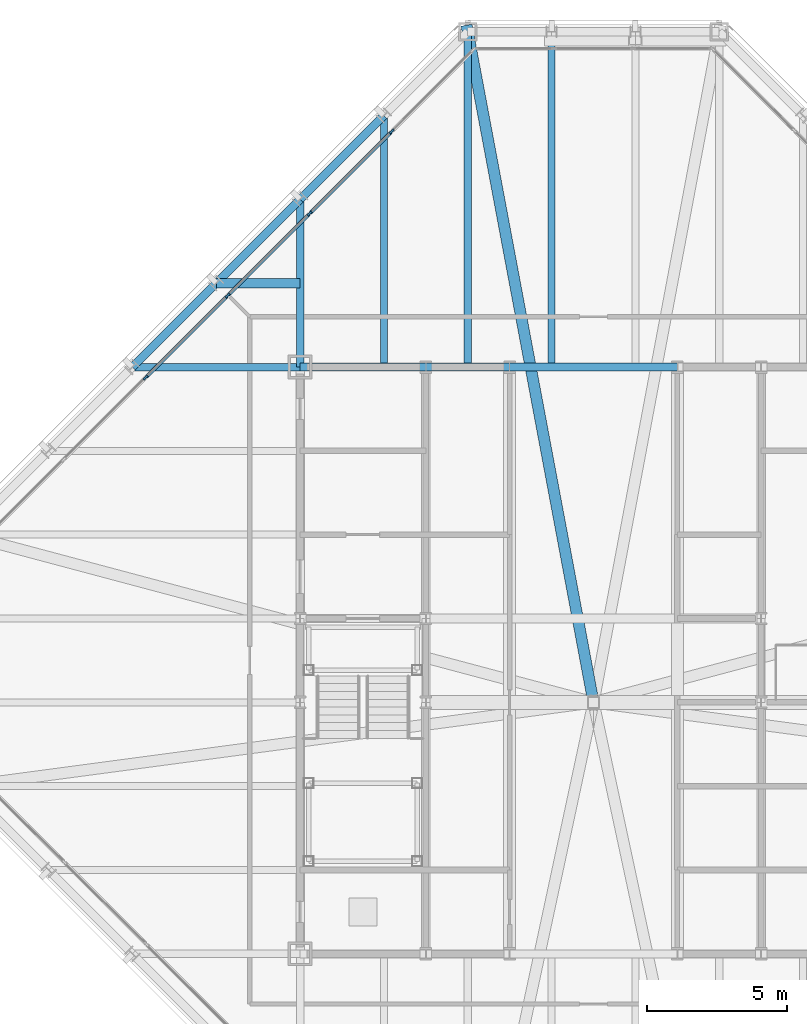
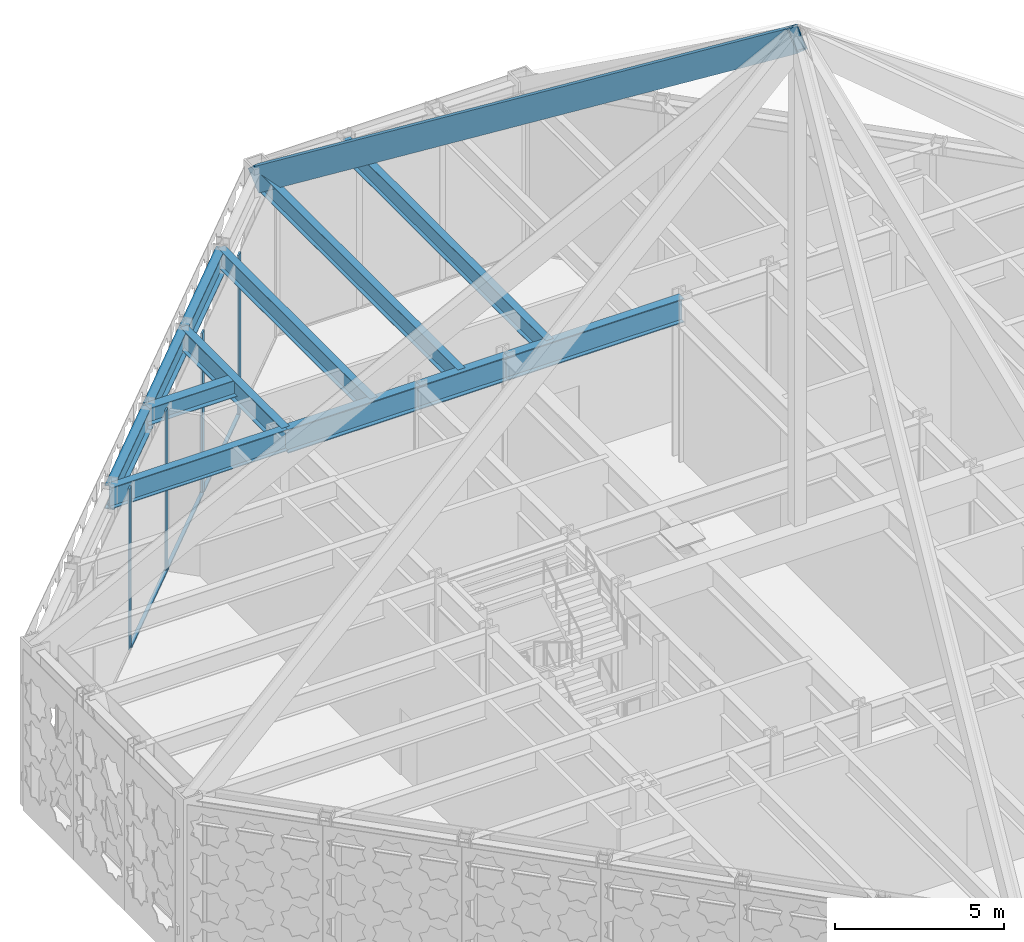
# One storey, part 10 of 30: 12 beams, 8 members, 1 element without a shape of its own.
"""IFC4 building model written with IfcOpenShell, lengths in metres."""

from ifc_helpers import new_model, si_unit, direction, frame, origin, origin_2d, place, context, subcontext, project, spatial, rectangle, hollow_rectangle, i_section, extrude, material, layer, layer_set, material_profile, profile_set, type_object, element, aggregate, save


model = new_model("IFC4")

# Units and contexts
model_context = context("Model", 3, precision=1e-05, world=origin(), true_north=direction((0.0, 1.0)))
body_context = subcontext(model_context, "Body", "Model", "MODEL_VIEW")
ifc_project = project(units=[si_unit("LENGTHUNIT", "METRE"), si_unit("AREAUNIT", "SQUARE_METRE"), si_unit("VOLUMEUNIT", "CUBIC_METRE"), si_unit("PLANEANGLEUNIT", "RADIAN"), si_unit("MASSUNIT", "GRAM", prefix="KILO")], contexts=[model_context])

# Site, building, storey
site_placement = place(None, origin())
site = spatial("IfcSite", under=ifc_project, at=site_placement, CompositionType="ELEMENT")
building_placement = place(site_placement, origin())
building = spatial("IfcBuilding", under=site, at=building_placement, Name="Chuquiago Exchange Tower", CompositionType="ELEMENT")
storey_placement = place(building_placement, frame((0.0, 0.0, 306.0)))
storey = spatial("IfcBuildingStorey", under=building, at=storey_placement, Name="L68", CompositionType="ELEMENT", Elevation=306.0)

# Beams
ifc_material_1 = material(Name="Steel ASTM A992", Category="steel")
ifc_material_profile_1 = material_profile(ifc_material_1, i_section(OverallWidth=0.25390625, OverallDepth=0.683349609375, WebThickness=0.012451171875, FlangeThickness=0.018798828125, at=origin_2d()), Name="W27X94")
ifc_profile_set_1 = profile_set([ifc_material_profile_1], Name="Steel ASTM A992")
beam_type_1 = type_object("IfcBeamType", Name="B1 W27X94", PredefinedType="BEAM", material=ifc_profile_set_1)
beam_1_placement = place(storey_placement, frame((15.0, 33.0, 5.45849609375), z_axis=(0.0, 1.0, 0.0), x_axis=(-1.0, 0.0, 0.0)))
element("IfcBeam", 1, at=beam_1_placement, inside=storey, type_object=beam_type_1, Name="FB-ROOF-infill-15_33-15_42", PredefinedType="BEAM", context=body_context, shape_type="SweptSolid", body=[
    extrude(i_section(OverallWidth=0.25390625, OverallDepth=0.683349609375, WebThickness=0.012451171875, FlangeThickness=0.018798828125, at=origin_2d()), origin(), (0.0, 0.0, 1.0), 9.0),
])
for number, where, z_axis, x_axis, name in (
    (2, (18.0, 33.0, 5.45849609375), (0.0, 1.0, 0.0), (-1.0, 0.0, 0.0), "FB-ROOF-infill-18_33-18_45"),
    (3, (21.0, 33.0, 5.45849609375), (0.0, 1.0, 0.0), (-1.0, 0.0, 0.0), "FB-ROOF-infill-21_33-21_45"),
):
    element("IfcBeam", number, at=place(storey_placement, frame(where, z_axis=z_axis, x_axis=x_axis)), inside=storey, type_object=beam_type_1, Name=name, PredefinedType="BEAM", context=body_context, shape_type="SweptSolid", body=[
        extrude(i_section(OverallWidth=0.25390625, OverallDepth=0.683349609375, WebThickness=0.012451171875, FlangeThickness=0.018798828125, at=origin_2d()), origin(), (0.0, 0.0, 1.0), 12.0),
    ])
ifc_material_2 = material(Name="Steel ASTM A992", Category="steel")
ifc_material_profile_2 = material_profile(ifc_material_2, i_section(OverallWidth=0.3251953125, OverallDepth=0.612060546875, WebThickness=0.0126953125, FlangeThickness=0.01904296875, at=origin_2d()), Name="W24X104")
ifc_profile_set_2 = profile_set([ifc_material_profile_2], Name="Steel ASTM A992")
beam_type_2 = type_object("IfcBeamType", Name="B2 W24X104", PredefinedType="BEAM", material=ifc_profile_set_2)
beam_2_placement = place(storey_placement, frame((12.0, 36.0, 5.493896484375), z_axis=(-1.0, 0.0, 0.0), x_axis=(0.0, -1.0, 0.0)))
element("IfcBeam", 4, at=beam_2_placement, inside=storey, type_object=beam_type_2, Name="FB-ROOF-corner-12_36-9_36", PredefinedType="BEAM", context=body_context, shape_type="SweptSolid", body=[
    extrude(i_section(OverallWidth=0.3251953125, OverallDepth=0.612060546875, WebThickness=0.0126953125, FlangeThickness=0.01904296875, at=origin_2d()), origin(), (0.0, 0.0, 1.0), 3.0),
])
ifc_material_3 = material(Name="Steel ASTM A992", Category="steel")
ifc_material_profile_3 = material_profile(ifc_material_3, i_section(OverallWidth=0.2919921875, OverallDepth=0.8583984375, WebThickness=0.01708984375, FlangeThickness=0.031005859375, at=origin_2d()), Name="W33X169")
ifc_profile_set_3 = profile_set([ifc_material_profile_3], Name="Steel ASTM A992")
beam_type_3 = type_object("IfcBeamType", Name="B3 W33X169", PredefinedType="BEAM", material=ifc_profile_set_3)
beam_3_placement = place(storey_placement, frame((12.0, 33.0, 5.37060546875), z_axis=(1.0, 0.0, 0.0), x_axis=(0.0, 1.0, 0.0)))
element("IfcBeam", 5, at=beam_3_placement, inside=storey, type_object=beam_type_3, Name="CB-ROOF-12_33-16.5_33", PredefinedType="BEAM", context=body_context, shape_type="SweptSolid", body=[
    extrude(i_section(OverallWidth=0.2919921875, OverallDepth=0.8583984375, WebThickness=0.01708984375, FlangeThickness=0.031005859375, at=origin_2d()), origin(), (0.0, 0.0, 1.0), 4.5),
])
beam_4_placement = place(storey_placement, frame((16.5, 33.0, 5.37060546875), z_axis=(1.0, 0.0, 0.0), x_axis=(0.0, 1.0, 0.0)))
element("IfcBeam", 6, at=beam_4_placement, inside=storey, type_object=beam_type_3, Name="CB-ROOF-16.5_33-19.5_33", PredefinedType="BEAM", context=body_context, shape_type="SweptSolid", body=[
    extrude(i_section(OverallWidth=0.2919921875, OverallDepth=0.8583984375, WebThickness=0.01708984375, FlangeThickness=0.031005859375, at=origin_2d()), origin(), (0.0, 0.0, 1.0), 3.0),
])
beam_5_placement = place(storey_placement, frame((19.5, 33.0, 5.37060546875), z_axis=(1.0, 0.0, 0.0), x_axis=(0.0, 1.0, 0.0)))
element("IfcBeam", 7, at=beam_5_placement, inside=storey, type_object=beam_type_3, Name="CB-ROOF-19.5_33-25.5_33", PredefinedType="BEAM", context=body_context, shape_type="SweptSolid", body=[
    extrude(i_section(OverallWidth=0.2919921875, OverallDepth=0.8583984375, WebThickness=0.01708984375, FlangeThickness=0.031005859375, at=origin_2d()), origin(), (0.0, 0.0, 1.0), 6.0),
])

# Member
ifc_material_4 = material(Name="Steel ASTM A572 Grade 50", Category="steel")
ifc_material_profile_4 = material_profile(ifc_material_4, hollow_rectangle(XDim=0.39990234375, YDim=0.800048828125, WallThickness=0.0400390625, at=origin_2d()), Name="BOX800X400X40")
ifc_profile_set_4 = profile_set([ifc_material_profile_4], Name="Steel ASTM A572 Grade 50")
member_type_1 = type_object("IfcMemberType", Name="CR1 BOX800X400X40", PredefinedType="RAFTER", material=ifc_profile_set_4)
member_1_placement = place(storey_placement, frame((18.0, 45.0, 5.39208984375), z_axis=(0.14834045293, -0.791149082295, 0.593361811721), x_axis=(0.982872186934, 0.18428853505, 0.0)))
element("IfcMember", 8, at=member_1_placement, inside=storey, type_object=member_type_1, Name="Crown hip rafter at 18_45", PredefinedType="RAFTER", context=body_context, shape_type="SweptSolid", body=[
    extrude(hollow_rectangle(XDim=0.39990234375, YDim=0.800048828125, WallThickness=0.0400390625, at=origin_2d()), origin(), (0.0, 0.0, 1.0), 30.335693359375),
])

# Curtain wall, members
ifc_material_5 = material(Name="Aluminium curtain wall system", Category="aluminium")
ifc_layer = layer(ifc_material_5, 0.199951171875)
ifc_layer_set = layer_set([ifc_layer], Name="CW5 lantern curtain wall")
curtain_wall_type = type_object("IfcCurtainWallType", Name="CW5 lantern curtain wall", PredefinedType="NOTDEFINED", material=ifc_layer_set)
curtain_wall_placement = place(storey_placement, origin())
curtain_wall = element("IfcCurtainWall", 9, at=curtain_wall_placement, inside=storey, type_object=curtain_wall_type, Name="CW5 curtain wall L68", PredefinedType="NOTDEFINED")
ifc_material_6 = material(Name="Aluminium mullion, pale anodised", Category="aluminium")
ifc_material_profile_5 = material_profile(ifc_material_6, rectangle(XDim=0.06005859375, YDim=0.199951171875, at=origin_2d()), Name="AL 60x200")
ifc_profile_set_5 = profile_set([ifc_material_profile_5], Name="Aluminium mullion, pale anodised")
member_type_2 = type_object("IfcMemberType", Name="CW5-M mullion 60x200", PredefinedType="MULLION", material=ifc_profile_set_5)
member_2_placement = place(storey_placement, frame((15.277587890625, 41.42919921875, 0.0), z_axis=(0.0, 0.0, 1.0), x_axis=(0.707104773852, -0.707108788515, 0.0)))
member_2 = element("IfcMember", 10, at=member_2_placement, type_object=member_type_2, Name="CW5 mullion 2", PredefinedType="MULLION", context=body_context, shape_type="SweptSolid", body=[
    extrude(rectangle(XDim=0.06005859375, YDim=0.199951171875, at=origin_2d()), origin(), (0.0, 0.0, 1.0), 5.800048828125),
])
member_3_placement = place(storey_placement, frame((12.342041015625, 38.49365234375, 0.0), z_axis=(0.0, 0.0, 1.0), x_axis=(0.707104773852, -0.707108788515, 0.0)))
member_3 = element("IfcMember", 11, at=member_3_placement, type_object=member_type_2, Name="CW5 mullion 3", PredefinedType="MULLION", context=body_context, shape_type="SweptSolid", body=[
    extrude(rectangle(XDim=0.06005859375, YDim=0.199951171875, at=origin_2d()), origin(), (0.0, 0.0, 1.0), 5.800048828125),
])
member_4_placement = place(storey_placement, frame((9.406494140625, 35.55810546875, 0.0), z_axis=(0.0, 0.0, 1.0), x_axis=(0.707104773852, -0.707108788515, 0.0)))
member_4 = element("IfcMember", 12, at=member_4_placement, type_object=member_type_2, Name="CW5 mullion 4", PredefinedType="MULLION", context=body_context, shape_type="SweptSolid", body=[
    extrude(rectangle(XDim=0.06005859375, YDim=0.199951171875, at=origin_2d()), origin(), (0.0, 0.0, 1.0), 5.800048828125),
])
member_5_placement = place(storey_placement, frame((6.470947265625, 32.62255859375, 0.0), z_axis=(0.0, 0.0, 1.0), x_axis=(0.707104773852, -0.707108788515, 0.0)))
member_5 = element("IfcMember", 13, at=member_5_placement, type_object=member_type_2, Name="CW5 mullion 5", PredefinedType="MULLION", context=body_context, shape_type="SweptSolid", body=[
    extrude(rectangle(XDim=0.06005859375, YDim=0.199951171875, at=origin_2d()), origin(), (0.0, 0.0, 1.0), 5.800048828125),
])
ifc_material_7 = material(Name="Aluminium transom, pale anodised", Category="aluminium")
ifc_material_profile_6 = material_profile(ifc_material_7, rectangle(XDim=0.1201171875, YDim=0.06005859375, at=origin_2d()), Name="AL 120x60")
ifc_profile_set_6 = profile_set([ifc_material_profile_6], Name="Aluminium transom, pale anodised")
member_type_3 = type_object("IfcMemberType", Name="CW5-T transom 60x120", PredefinedType="MULLION", material=ifc_profile_set_6)
member_6_placement = place(storey_placement, frame((15.25634765625, 41.407958984375, 0.030029296875), z_axis=(-0.707106781187, -0.707106781187, 0.0), x_axis=(0.707106781187, -0.707106781187, 0.0)))
member_6 = element("IfcMember", 14, at=member_6_placement, type_object=member_type_3, Name="CW5 transom 2.1", PredefinedType="MULLION", context=body_context, shape_type="SweptSolid", body=[
    extrude(rectangle(XDim=0.1201171875, YDim=0.06005859375, at=origin_2d()), origin(), (0.0, 0.0, 1.0), 4.09130859375),
])
member_7_placement = place(storey_placement, frame((12.32080078125, 38.472412109375, 0.030029296875), z_axis=(-0.707106781187, -0.707106781187, 0.0), x_axis=(0.707106781187, -0.707106781187, 0.0)))
member_7 = element("IfcMember", 15, at=member_7_placement, type_object=member_type_3, Name="CW5 transom 3.1", PredefinedType="MULLION", context=body_context, shape_type="SweptSolid", body=[
    extrude(rectangle(XDim=0.1201171875, YDim=0.06005859375, at=origin_2d()), origin(), (0.0, 0.0, 1.0), 4.09130859375),
])
member_8_placement = place(storey_placement, frame((9.385498046875, 35.536865234375, 0.030029296875), z_axis=(-0.707136615027, -0.707076946087, 0.0), x_axis=(0.707076946087, -0.707136615027, 0.0)))
member_8 = element("IfcMember", 16, at=member_8_placement, type_object=member_type_3, Name="CW5 transom 4.1", PredefinedType="MULLION", context=body_context, shape_type="SweptSolid", body=[
    extrude(rectangle(XDim=0.1201171875, YDim=0.06005859375, at=origin_2d()), origin(), (0.0, 0.0, 1.0), 4.091552734375),
])
aggregate(curtain_wall, [member_2, member_3, member_4, member_5, member_6, member_7, member_8])

# Beams
ifc_material_8 = material(Name="Steel ASTM A992", Category="steel")
ifc_material_profile_7 = material_profile(ifc_material_8, i_section(OverallWidth=0.2666015625, OverallDepth=0.76953125, WebThickness=0.015625, FlangeThickness=0.025390625, at=origin_2d()), Name="W30X132")
ifc_profile_set_7 = profile_set([ifc_material_profile_7], Name="Steel ASTM A992")
beam_type_4 = type_object("IfcBeamType", Name="G1 W30X132", PredefinedType="BEAM", material=ifc_profile_set_7)
for number, where, z_axis, x_axis, name in (
    (17, (12.0, 33.0, 5.415283203125), (0.0, 1.0, 0.0), (-1.0, 0.0, 0.0), "FB-ROOF-girder-12_33-12_39"),
    (18, (12.0, 33.0, 5.415283203125), (-1.0, 0.0, 0.0), (0.0, -1.0, 0.0), "FB-ROOF-girder-12_33-6_33"),
):
    element("IfcBeam", number, at=place(storey_placement, frame(where, z_axis=z_axis, x_axis=x_axis)), inside=storey, type_object=beam_type_4, Name=name, PredefinedType="BEAM", context=body_context, shape_type="SweptSolid", body=[
        extrude(i_section(OverallWidth=0.2666015625, OverallDepth=0.76953125, WebThickness=0.015625, FlangeThickness=0.025390625, at=origin_2d()), origin(), (0.0, 0.0, 1.0), 6.0),
    ])
ifc_material_9 = material(Name="Steel ASTM A992", Category="steel")
ifc_material_profile_8 = material_profile(ifc_material_9, i_section(OverallWidth=0.2919921875, OverallDepth=0.8583984375, WebThickness=0.01708984375, FlangeThickness=0.031005859375, at=origin_2d()), Name="W33X169")
ifc_profile_set_8 = profile_set([ifc_material_profile_8], Name="Steel ASTM A992")
beam_type_5 = type_object("IfcBeamType", Name="SP4 W33X169", PredefinedType="SPANDREL", material=ifc_profile_set_8)
for number, where, z_axis, x_axis, name in (
    (19, (15.0, 42.0, 5.37060546875), (-0.707106781187, -0.707106781187, 0.0), (0.707106781187, -0.707106781187, 0.0), "SPB-ROOF-15_42-12_39"),
    (20, (12.0, 39.0, 5.37060546875), (-0.707106781187, -0.707106781187, 0.0), (0.707106781187, -0.707106781187, 0.0), "SPB-ROOF-12_39-9_36"),
    (21, (9.0, 36.0, 5.37060546875), (-0.707106781187, -0.707106781187, 0.0), (0.707106781187, -0.707106781187, 0.0), "SPB-ROOF-9_36-6_33"),
):
    element("IfcBeam", number, at=place(storey_placement, frame(where, z_axis=z_axis, x_axis=x_axis)), inside=storey, type_object=beam_type_5, Name=name, PredefinedType="SPANDREL", context=body_context, shape_type="SweptSolid", body=[
        extrude(i_section(OverallWidth=0.2919921875, OverallDepth=0.8583984375, WebThickness=0.01708984375, FlangeThickness=0.031005859375, at=origin_2d()), origin(), (0.0, 0.0, 1.0), 4.24267578125),
    ])

save(model, "model.ifc")
